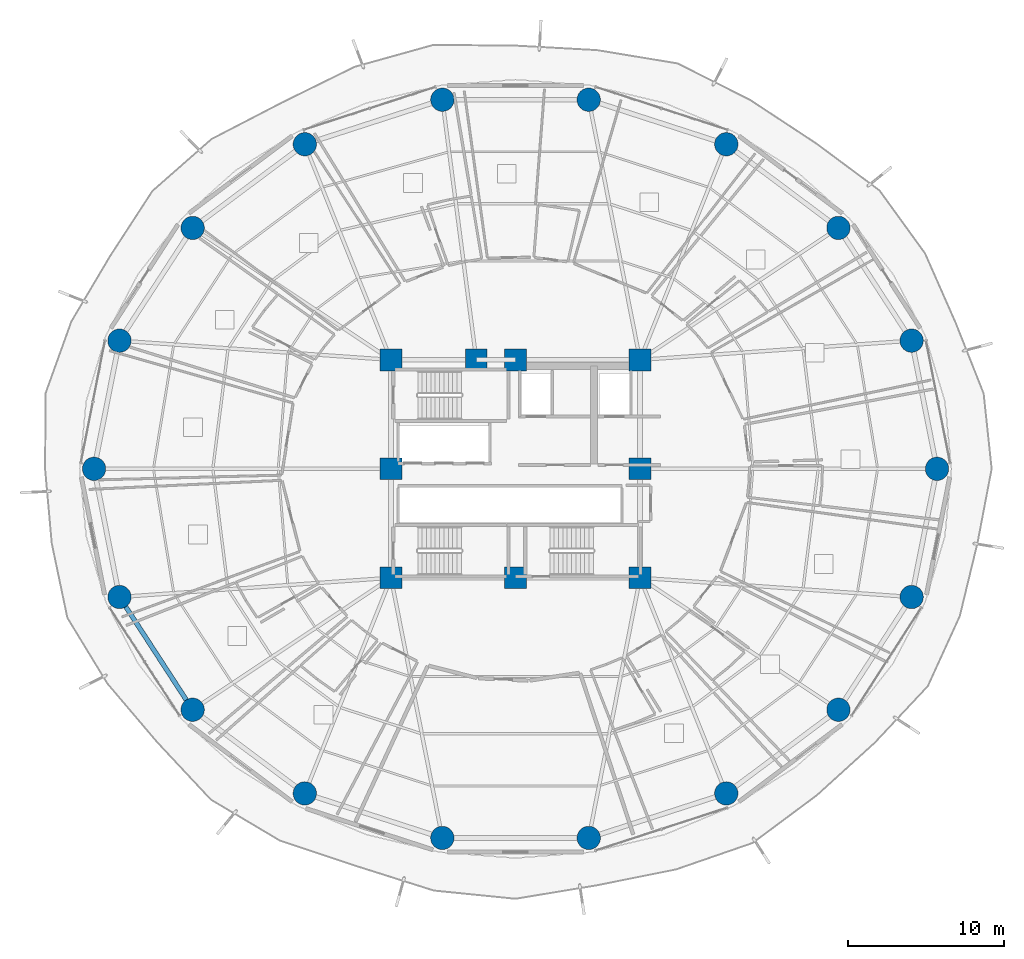
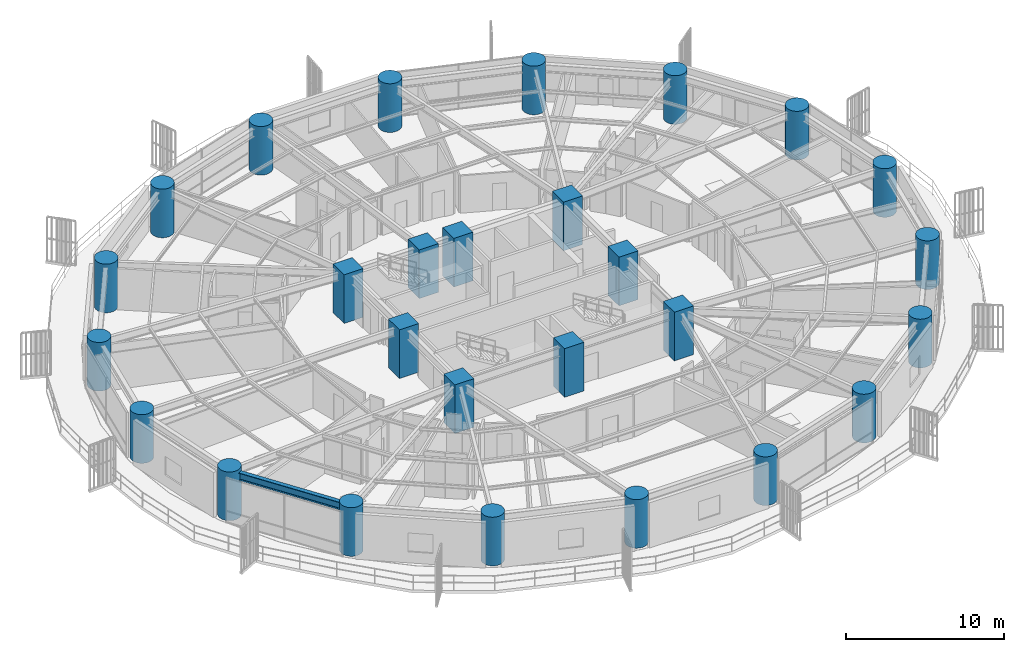
# One storey, part 1 of 33: 27 columns, 1 beam.
"""IFC4 building model written with IfcOpenShell, lengths in metres."""

import ifcopenshell
import ifcopenshell.guid

model = None  # the IFC model being written
_history = None  # IfcOwnerHistory: only IFC2X3 demands one
_inside = {}  # id of a spatial element -> (the spatial element, [elements in it])
_under = {}  # id of a project, library or spatial element -> (it, [spatial elements below it])
_declared = {}  # id of a project -> (the project, [libraries it declares])
_typed = {}  # id of a type object -> (the type object, [elements of that type])
_made_of = {}  # id of a material, layer set ... -> (it, [elements and type objects made of it])


def new_model(schema):
    """Start an empty IFC model of exactly this schema.

    Asked for "IFC4X3", IfcOpenShell would pick the latest addendum, in which some entities
    have other attributes; the version numbers below select the first issue.
    IFC2X3 requires an IfcOwnerHistory on every rooted entity: one is made here for all.
    """
    global model, _history
    if schema == "IFC4X3":
        model = ifcopenshell.file(schema_version=(4, 3, 0, 0))
    else:
        model = ifcopenshell.file(schema=schema)
    _inside.clear()
    _under.clear()
    _declared.clear()
    _typed.clear()
    _made_of.clear()
    _history = None
    if model.schema == "IFC2X3":
        org = make("IfcOrganization", Name="unknown")
        user = make(
            "IfcPersonAndOrganization",
            ThePerson=make("IfcPerson", FamilyName="unknown"),
            TheOrganization=org,
        )
        app = make(
            "IfcApplication",
            ApplicationDeveloper=org,
            Version="unknown",
            ApplicationFullName="unknown",
            ApplicationIdentifier="unknown",
        )
        _history = make(
            "IfcOwnerHistory",
            OwningUser=user,
            OwningApplication=app,
            ChangeAction="ADDED",
            CreationDate=0,
        )
    return model


def make(cls, **values):
    """One entity of the class cls with the attributes given. An attribute that is None is left unset."""
    return model.create_entity(
        cls, **{name: value for name, value in values.items() if value is not None}
    )


def rooted(cls, **values):
    """An entity with a GlobalId (a new one), such as an element, a storey or a relation."""
    return make(cls, GlobalId=ifcopenshell.guid.new(), OwnerHistory=_history, **values)


def si_unit(unit_type, name, prefix=None):
    """IfcSIUnit, for example si_unit("LENGTHUNIT", "METRE", prefix="MILLI")."""
    return make("IfcSIUnit", UnitType=unit_type, Prefix=prefix, Name=name)


def assignment(units):
    """IfcUnitAssignment: the units of a project."""
    return None if units is None else make("IfcUnitAssignment", Units=units)


def point(xyz):
    """IfcCartesianPoint."""
    return None if xyz is None else make("IfcCartesianPoint", Coordinates=xyz)


def direction(xyz):
    """IfcDirection."""
    return None if xyz is None else make("IfcDirection", DirectionRatios=xyz)


def frame(location, z_axis=None, x_axis=None):
    """IfcAxis2Placement3D, a coordinate frame: its origin and axes. An axis left out is left unset."""
    return make(
        "IfcAxis2Placement3D",
        Location=point(location),
        Axis=direction(z_axis),
        RefDirection=direction(x_axis),
    )


def frame_2d(location, x_axis=None):
    """IfcAxis2Placement2D, a coordinate frame in the plane: its origin and x axis."""
    return make(
        "IfcAxis2Placement2D", Location=point(location), RefDirection=direction(x_axis)
    )


def origin():
    """The frame at (0, 0, 0) with its axes left unset."""
    return frame((0.0, 0.0, 0.0))


def origin_2d():
    """The frame at (0, 0) in the plane with its x axis left unset."""
    return frame_2d((0.0, 0.0))


def place(relative_to, where):
    """IfcLocalPlacement: puts the frame where relative to a parent placement (None: the world)."""
    return make(
        "IfcLocalPlacement", PlacementRelTo=relative_to, RelativePlacement=where
    )


def context(
    kind, dimensions, precision=None, world=None, true_north=None, identifier=None
):
    """IfcGeometricRepresentationContext, for example the 3D "Model" context."""
    return make(
        "IfcGeometricRepresentationContext",
        ContextIdentifier=identifier,
        ContextType=kind,
        CoordinateSpaceDimension=dimensions,
        Precision=precision,
        WorldCoordinateSystem=world,
        TrueNorth=true_north,
    )


def subcontext(parent, identifier, kind, view, scale=None):
    """IfcGeometricRepresentationSubContext, for example "Body" below "Model"."""
    return make(
        "IfcGeometricRepresentationSubContext",
        ContextIdentifier=identifier,
        ContextType=kind,
        ParentContext=parent,
        TargetScale=scale,
        TargetView=view,
    )


def project(units=None, contexts=None):
    """IfcProject with its units and contexts."""
    return rooted(
        "IfcProject",
        Name="project",
        RepresentationContexts=contexts,
        UnitsInContext=assignment(units),
    )


def spatial(cls, under=None, at=None, **own):
    """A site, building, storey or space (cls), placed at a placement, below another one or the project."""
    s = rooted(cls, ObjectPlacement=at, **own)
    if under is not None:
        _under.setdefault(under.id(), (under, []))[1].append(s)
    return s


def profile(cls, at=None, kind="AREA", **sizes):
    """A parametric profile (cls). Its sizes go by their IFC names, for example OverallWidth=200.0."""
    return make(cls, ProfileType=kind, Position=at, **sizes)


def rectangle(**sizes):
    """IfcRectangleProfileDef."""
    return profile("IfcRectangleProfileDef", **sizes)


def circle(**sizes):
    """IfcCircleProfileDef."""
    return profile("IfcCircleProfileDef", **sizes)


def i_section(**sizes):
    """IfcIShapeProfileDef."""
    return profile("IfcIShapeProfileDef", **sizes)


def extrude(swept, where, along, depth):
    """IfcExtrudedAreaSolid: the profile swept, set in the frame where, extruded along a direction by depth."""
    return make(
        "IfcExtrudedAreaSolid",
        SweptArea=swept,
        Position=where,
        ExtrudedDirection=direction(along),
        Depth=depth,
    )


def shape(context_of_items, identifier, shape_type, items):
    """IfcShapeRepresentation: the items that make up one representation, for example the "Body"."""
    return make(
        "IfcShapeRepresentation",
        ContextOfItems=context_of_items,
        RepresentationIdentifier=identifier,
        RepresentationType=shape_type,
        Items=items,
    )


def material(Name=None, Category=None):
    """IfcMaterial."""
    return make("IfcMaterial", Name=Name, Category=Category)


def material_profile(
    of_material, cross_section, Name=None, Category=None, Priority=None
):
    """IfcMaterialProfile: a cross section and its material."""
    return make(
        "IfcMaterialProfile",
        Name=Name,
        Material=of_material,
        Profile=cross_section,
        Priority=Priority,
        Category=Category,
    )


def profile_set(profiles, Name=None, composite=None):
    """IfcMaterialProfileSet."""
    return make(
        "IfcMaterialProfileSet",
        Name=Name,
        MaterialProfiles=profiles,
        CompositeProfile=composite,
    )


def made_of(thing, what):
    """Note that an element or type object is made of a material, layer set ...; save() writes the relation."""
    if what is not None:
        _made_of.setdefault(what.id(), (what, []))[1].append(thing)
    return thing


def type_object(cls, material=None, **own):
    """A type object (cls), such as IfcWallType, which elements share."""
    return made_of(rooted(cls, **own), material)


def element(
    cls,
    number,
    at=None,
    inside=None,
    cuts=None,
    type_object=None,
    material=None,
    context=None,
    identifier="Body",
    shape_type=None,
    held_by="IfcProductDefinitionShape",
    body=None,
    shapes=None,
    **own,
):
    """One element of the class cls, such as IfcWall. Its Tag is "e" and its number.

    at: its placement. inside: the storey or other place that contains it. cuts: it is an
    opening in that element (IfcRelVoidsElement). A single representation is given by context,
    identifier, shape_type and body (its items); several are given by shapes. held_by: the class
    of the entity that holds the representations. save() writes the other relations.
    """
    e = rooted(cls, Tag="e%d" % number, ObjectPlacement=at, **own)
    if body is not None:
        shapes = [shape(context, identifier, shape_type, body)]
    if shapes is not None:
        e.Representation = make(held_by, Representations=shapes)
    if inside is not None:
        _inside.setdefault(inside.id(), (inside, []))[1].append(e)
    if cuts is not None:
        rooted(
            "IfcRelVoidsElement", RelatingBuildingElement=cuts, RelatedOpeningElement=e
        )
    if type_object is not None:
        _typed.setdefault(type_object.id(), (type_object, []))[1].append(e)
    return made_of(e, material)


def aggregate(whole, parts):
    """IfcRelAggregates: a whole, such as a stair, and the parts it consists of."""
    return rooted("IfcRelAggregates", RelatingObject=whole, RelatedObjects=parts)


def save(model, path):
    """Write the relations noted so far, then the file.

    IfcRelAggregates (storeys below a building ...), IfcRelContainedInSpatialStructure (elements
    in a storey), IfcRelDefinesByType, IfcRelAssociatesMaterial and IfcRelDeclares: one each for
    every whole, place, type object, material and project.
    """
    for whole, parts in _under.values():
        aggregate(whole, parts)
    for where, things in _inside.values():
        rooted(
            "IfcRelContainedInSpatialStructure",
            RelatedElements=things,
            RelatingStructure=where,
        )
    for kind, things in _typed.values():
        rooted("IfcRelDefinesByType", RelatedObjects=things, RelatingType=kind)
    for what, things in _made_of.values():
        rooted("IfcRelAssociatesMaterial", RelatedObjects=things, RelatingMaterial=what)
    for by, libraries in _declared.values():
        rooted("IfcRelDeclares", RelatingContext=by, RelatedDefinitions=libraries)
    model.write(path)


model = new_model("IFC4")

# Units and contexts
model_context = context("Model", 3, precision=1e-05, world=origin(), true_north=direction((0.0, 1.0)))
body_context = subcontext(model_context, "Body", "Model", "MODEL_VIEW")
ifc_project = project(units=[si_unit("LENGTHUNIT", "METRE"), si_unit("AREAUNIT", "SQUARE_METRE"), si_unit("VOLUMEUNIT", "CUBIC_METRE"), si_unit("PLANEANGLEUNIT", "RADIAN"), si_unit("MASSUNIT", "GRAM", prefix="KILO")], contexts=[model_context])

# Site, building, storey
site_placement = place(None, origin())
site = spatial("IfcSite", under=ifc_project, at=site_placement, CompositionType="ELEMENT")
building_placement = place(site_placement, origin())
building = spatial("IfcBuilding", under=site, at=building_placement, Name="Kelanora Arch Commons", CompositionType="ELEMENT")
storey_placement = place(building_placement, frame((0.0, 0.0, 37.5)))
storey = spatial("IfcBuildingStorey", under=building, at=storey_placement, Name="L09", CompositionType="ELEMENT", Elevation=37.5)

# Columns
ifc_material_1 = material(Name="Concrete C60/75", Category="concrete")
ifc_material_profile_1 = material_profile(ifc_material_1, circle(Radius=0.75, at=origin_2d()), Name="RCC1500")
ifc_profile_set_1 = profile_set([ifc_material_profile_1], Name="Concrete C60/75")
column_type_1 = type_object("IfcColumnType", Name="COL-PERIM-Z1", PredefinedType="COLUMN", material=ifc_profile_set_1)
for number, where, z_axis, x_axis, name in (
    (1, (101.080078125, 58.0, 0.0), (0.0, 0.0, 1.0), (1.0, 0.0, 0.0), "Perimeter Ring Column CP-00 L09"),
    (2, (99.447021484375, 66.23583984375, 0.0), (0.0, 0.0, 1.0), (1.0, 0.0, 0.0), "Perimeter Ring Column CP-02 L09"),
    (3, (94.744384765625, 73.478271484375, 0.0), (0.0, 0.0, 1.0), (1.0, 0.0, 0.0), "Perimeter Ring Column CP-04 L09"),
    (4, (87.5400390625, 78.85400390625, 0.0), (0.0, 0.0, 1.0), (1.0, 0.0, 0.0), "Perimeter Ring Column CP-06 L09"),
    (5, (78.702392578125, 81.714111328125, 0.0), (0.0, 0.0, 1.0), (1.0, 0.0, 0.0), "Perimeter Ring Column CP-08 L09"),
    (6, (69.297607421875, 81.714111328125, 0.0), (0.0, 0.0, 1.0), (1.0, 0.0, 0.0), "Perimeter Ring Column CP-10 L09"),
    (7, (60.4599609375, 78.85400390625, 0.0), (0.0, 0.0, 1.0), (1.0, 0.0, 0.0), "Perimeter Ring Column CP-12 L09"),
    (8, (53.255615234375, 73.478271484375, 0.0), (0.0, 0.0, 1.0), (1.0, 0.0, 0.0), "Perimeter Ring Column CP-14 L09"),
    (9, (48.552978515625, 66.23583984375, 0.0), (0.0, 0.0, 1.0), (1.0, 0.0, 0.0), "Perimeter Ring Column CP-16 L09"),
    (10, (46.919921875, 58.0, 0.0), (0.0, 0.0, 1.0), (1.0, 0.0, 0.0), "Perimeter Ring Column CP-18 L09"),
    (11, (48.552978515625, 49.76416015625, 0.0), (0.0, 0.0, 1.0), (1.0, 0.0, 0.0), "Perimeter Ring Column CP-20 L09"),
    (12, (53.255615234375, 42.521728515625, 0.0), (0.0, 0.0, 1.0), (1.0, 0.0, 0.0), "Perimeter Ring Column CP-22 L09"),
    (13, (60.4599609375, 37.14599609375, 0.0), (0.0, 0.0, 1.0), (1.0, 0.0, 0.0), "Perimeter Ring Column CP-24 L09"),
    (14, (69.297607421875, 34.285888671875, 0.0), (0.0, 0.0, 1.0), (1.0, 0.0, 0.0), "Perimeter Ring Column CP-26 L09"),
    (15, (78.702392578125, 34.285888671875, 0.0), (0.0, 0.0, 1.0), (1.0, 0.0, 0.0), "Perimeter Ring Column CP-28 L09"),
    (16, (87.5400390625, 37.14599609375, 0.0), (0.0, 0.0, 1.0), (1.0, 0.0, 0.0), "Perimeter Ring Column CP-30 L09"),
    (17, (94.744384765625, 42.521728515625, 0.0), (0.0, 0.0, 1.0), (1.0, 0.0, 0.0), "Perimeter Ring Column CP-32 L09"),
    (18, (99.447021484375, 49.76416015625, 0.0), (0.0, 0.0, 1.0), (1.0, 0.0, 0.0), "Perimeter Ring Column CP-34 L09"),
):
    element("IfcColumn", number, at=place(storey_placement, frame(where, z_axis=z_axis, x_axis=x_axis)), inside=storey, type_object=column_type_1, Name=name, PredefinedType="COLUMN", context=body_context, shape_type="SweptSolid", body=[
        extrude(circle(Radius=0.75, at=origin_2d()), origin(), (0.0, 0.0, 1.0), 3.75),
    ])
ifc_material_profile_2 = material_profile(ifc_material_1, rectangle(XDim=1.39990234375, YDim=1.39990234375, at=origin_2d()), Name="RC1400x1400")
ifc_profile_set_2 = profile_set([ifc_material_profile_2], Name="Concrete C60/75")
column_type_2 = type_object("IfcColumnType", Name="COL-PIL-LOW", PredefinedType="PILASTER", material=ifc_profile_set_2)
for number, where, z_axis, x_axis, name in (
    (19, (66.0, 51.0, 0.0), (0.0, 0.0, 1.0), (1.0, 0.0, 0.0), "Core Pilaster Column CP1 L09"),
    (20, (74.0, 51.0, 0.0), (0.0, 0.0, 1.0), (1.0, 0.0, 0.0), "Core Pilaster Column CP2 L09"),
    (21, (82.0, 51.0, 0.0), (0.0, 0.0, 1.0), (1.0, 0.0, 0.0), "Core Pilaster Column CP3 L09"),
    (22, (82.0, 58.0, 0.0), (0.0, 0.0, 1.0), (1.0, 0.0, 0.0), "Core Pilaster Column CP4 L09"),
    (23, (82.0, 65.0, 0.0), (0.0, 0.0, 1.0), (1.0, 0.0, 0.0), "Core Pilaster Column CP5 L09"),
    (24, (74.0, 65.0, 0.0), (0.0, 0.0, 1.0), (1.0, 0.0, 0.0), "Core Pilaster Column CP6 L09"),
    (25, (71.47998046875, 65.0, 0.0), (0.0, 0.0, 1.0), (1.0, 0.0, 0.0), "Core Pilaster Column CP9 L09"),
    (26, (66.0, 65.0, 0.0), (0.0, 0.0, 1.0), (1.0, 0.0, 0.0), "Core Pilaster Column CP7 L09"),
    (27, (66.0, 58.0, 0.0), (0.0, 0.0, 1.0), (1.0, 0.0, 0.0), "Core Pilaster Column CP8 L09"),
):
    element("IfcColumn", number, at=place(storey_placement, frame(where, z_axis=z_axis, x_axis=x_axis)), inside=storey, type_object=column_type_2, Name=name, PredefinedType="PILASTER", context=body_context, shape_type="SweptSolid", body=[
        extrude(rectangle(XDim=1.39990234375, YDim=1.39990234375, at=origin_2d()), origin(), (0.0, 0.0, 1.0), 3.75),
    ])

# Beam
ifc_material_2 = material(Name="Steel S355", Category="steel")
ifc_material_profile_3 = material_profile(ifc_material_2, i_section(OverallWidth=0.300048828125, OverallDepth=0.60009765625, WebThickness=0.015380859375, FlangeThickness=0.030029296875, FilletRadius=0.027099609375, at=origin_2d()), Name="HEB600")
ifc_profile_set_3 = profile_set([ifc_material_profile_3], Name="Steel S355")
beam_type = type_object("IfcBeamType", Name="BM-SPN-Z1", PredefinedType="SPANDREL", material=ifc_profile_set_3)
beam_placement = place(storey_placement, frame((48.6728515625, 49.57958984375, 3.18994140625), z_axis=(0.544580949539, -0.838708286235, 0.0), x_axis=(0.838708286235, 0.544580949539, 0.0)))
element("IfcBeam", 28, at=beam_placement, inside=storey, type_object=beam_type, Name="Perimeter Spandrel Beam BS-20 L09", PredefinedType="SPANDREL", context=body_context, shape_type="SweptSolid", body=[
    extrude(i_section(OverallWidth=0.300048828125, OverallDepth=0.60009765625, WebThickness=0.015380859375, FlangeThickness=0.030029296875, FilletRadius=0.027099609375, at=origin_2d()), origin(), (0.0, 0.0, 1.0), 8.195068359375),
])

save(model, "model.ifc")
